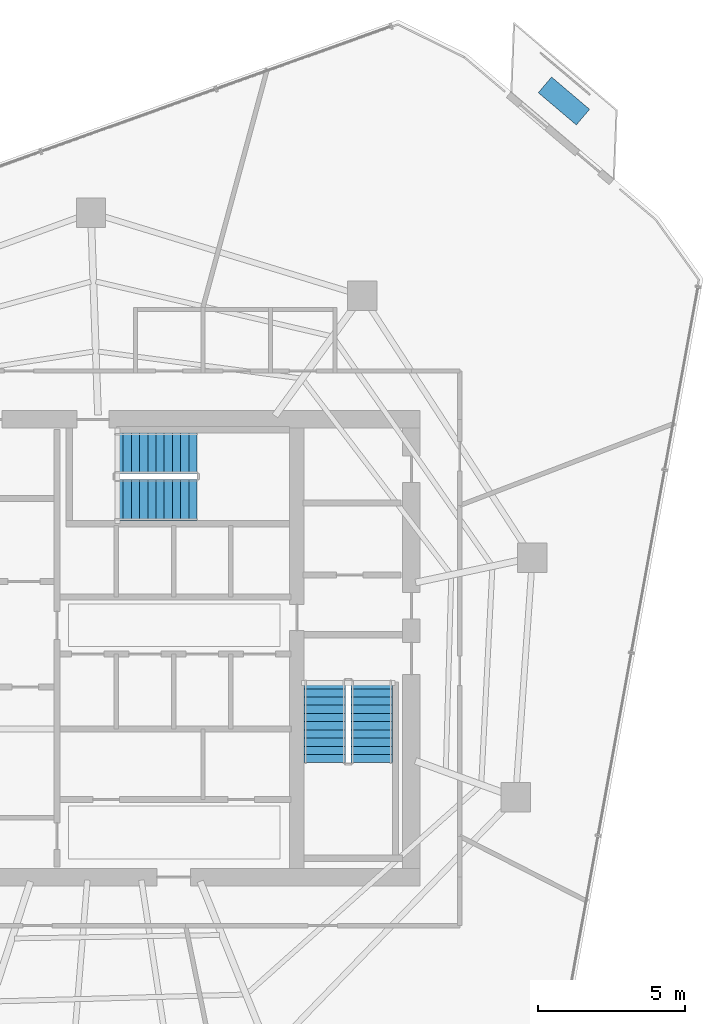
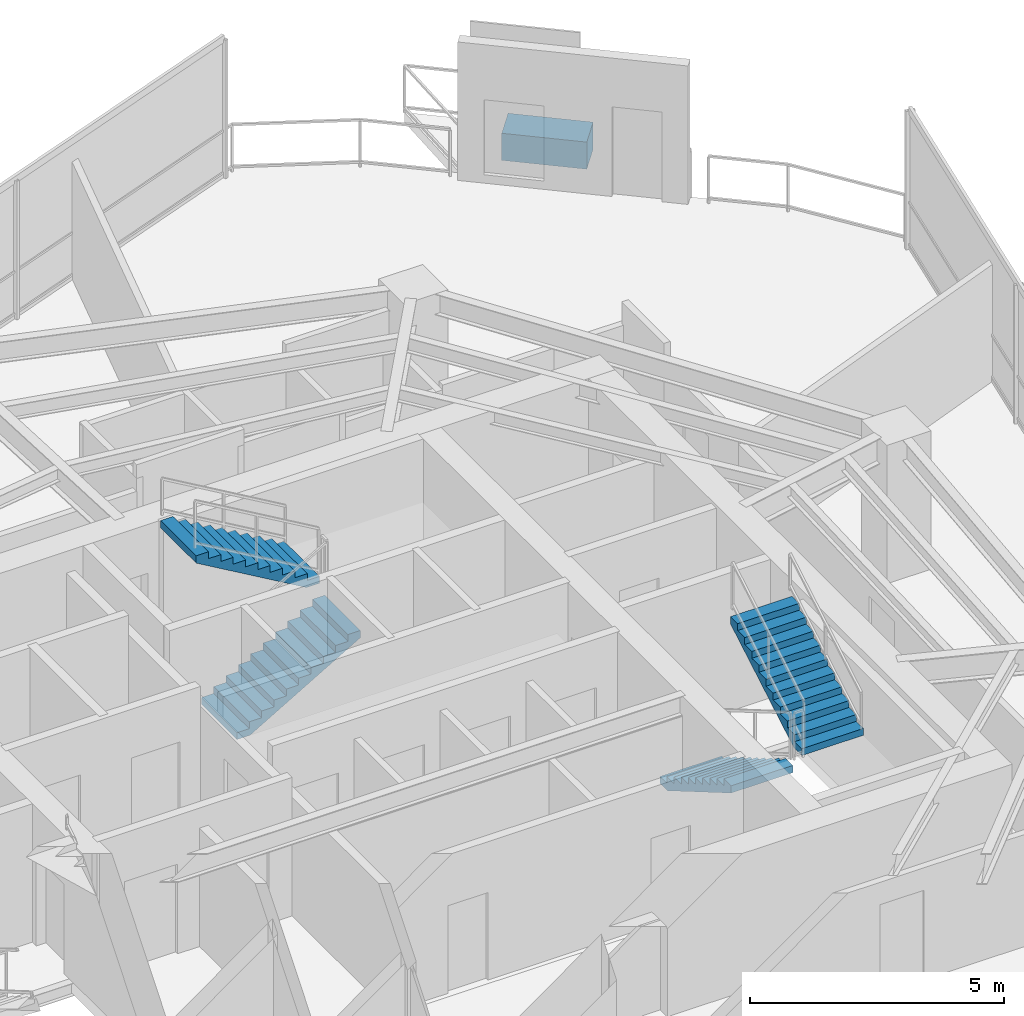
# One storey, part 19 of 21: 4 stair flights, 1 discrete accessory, 2 elements without a shape of their own.
"""IFC4 building model written with IfcOpenShell, lengths in metres."""

import ifcopenshell
import ifcopenshell.guid

model = None  # the IFC model being written
_history = None  # IfcOwnerHistory: only IFC2X3 demands one
_inside = {}  # id of a spatial element -> (the spatial element, [elements in it])
_under = {}  # id of a project, library or spatial element -> (it, [spatial elements below it])
_declared = {}  # id of a project -> (the project, [libraries it declares])
_typed = {}  # id of a type object -> (the type object, [elements of that type])
_made_of = {}  # id of a material, layer set ... -> (it, [elements and type objects made of it])


def new_model(schema):
    """Start an empty IFC model of exactly this schema.

    Asked for "IFC4X3", IfcOpenShell would pick the latest addendum, in which some entities
    have other attributes; the version numbers below select the first issue.
    IFC2X3 requires an IfcOwnerHistory on every rooted entity: one is made here for all.
    """
    global model, _history
    if schema == "IFC4X3":
        model = ifcopenshell.file(schema_version=(4, 3, 0, 0))
    else:
        model = ifcopenshell.file(schema=schema)
    _inside.clear()
    _under.clear()
    _declared.clear()
    _typed.clear()
    _made_of.clear()
    _history = None
    if model.schema == "IFC2X3":
        org = make("IfcOrganization", Name="unknown")
        user = make(
            "IfcPersonAndOrganization",
            ThePerson=make("IfcPerson", FamilyName="unknown"),
            TheOrganization=org,
        )
        app = make(
            "IfcApplication",
            ApplicationDeveloper=org,
            Version="unknown",
            ApplicationFullName="unknown",
            ApplicationIdentifier="unknown",
        )
        _history = make(
            "IfcOwnerHistory",
            OwningUser=user,
            OwningApplication=app,
            ChangeAction="ADDED",
            CreationDate=0,
        )
    return model


def make(cls, **values):
    """One entity of the class cls with the attributes given. An attribute that is None is left unset."""
    return model.create_entity(
        cls, **{name: value for name, value in values.items() if value is not None}
    )


def rooted(cls, **values):
    """An entity with a GlobalId (a new one), such as an element, a storey or a relation."""
    return make(cls, GlobalId=ifcopenshell.guid.new(), OwnerHistory=_history, **values)


def si_unit(unit_type, name, prefix=None):
    """IfcSIUnit, for example si_unit("LENGTHUNIT", "METRE", prefix="MILLI")."""
    return make("IfcSIUnit", UnitType=unit_type, Prefix=prefix, Name=name)


def assignment(units):
    """IfcUnitAssignment: the units of a project."""
    return None if units is None else make("IfcUnitAssignment", Units=units)


def point(xyz):
    """IfcCartesianPoint."""
    return None if xyz is None else make("IfcCartesianPoint", Coordinates=xyz)


def direction(xyz):
    """IfcDirection."""
    return None if xyz is None else make("IfcDirection", DirectionRatios=xyz)


def frame(location, z_axis=None, x_axis=None):
    """IfcAxis2Placement3D, a coordinate frame: its origin and axes. An axis left out is left unset."""
    return make(
        "IfcAxis2Placement3D",
        Location=point(location),
        Axis=direction(z_axis),
        RefDirection=direction(x_axis),
    )


def frame_2d(location, x_axis=None):
    """IfcAxis2Placement2D, a coordinate frame in the plane: its origin and x axis."""
    return make(
        "IfcAxis2Placement2D", Location=point(location), RefDirection=direction(x_axis)
    )


def origin():
    """The frame at (0, 0, 0) with its axes left unset."""
    return frame((0.0, 0.0, 0.0))


def origin_2d():
    """The frame at (0, 0) in the plane with its x axis left unset."""
    return frame_2d((0.0, 0.0))


def place(relative_to, where):
    """IfcLocalPlacement: puts the frame where relative to a parent placement (None: the world)."""
    return make(
        "IfcLocalPlacement", PlacementRelTo=relative_to, RelativePlacement=where
    )


def context(
    kind, dimensions, precision=None, world=None, true_north=None, identifier=None
):
    """IfcGeometricRepresentationContext, for example the 3D "Model" context."""
    return make(
        "IfcGeometricRepresentationContext",
        ContextIdentifier=identifier,
        ContextType=kind,
        CoordinateSpaceDimension=dimensions,
        Precision=precision,
        WorldCoordinateSystem=world,
        TrueNorth=true_north,
    )


def subcontext(parent, identifier, kind, view, scale=None):
    """IfcGeometricRepresentationSubContext, for example "Body" below "Model"."""
    return make(
        "IfcGeometricRepresentationSubContext",
        ContextIdentifier=identifier,
        ContextType=kind,
        ParentContext=parent,
        TargetScale=scale,
        TargetView=view,
    )


def project(units=None, contexts=None):
    """IfcProject with its units and contexts."""
    return rooted(
        "IfcProject",
        Name="project",
        RepresentationContexts=contexts,
        UnitsInContext=assignment(units),
    )


def spatial(cls, under=None, at=None, **own):
    """A site, building, storey or space (cls), placed at a placement, below another one or the project."""
    s = rooted(cls, ObjectPlacement=at, **own)
    if under is not None:
        _under.setdefault(under.id(), (under, []))[1].append(s)
    return s


def polyline(points):
    """IfcPolyline through the points."""
    return make("IfcPolyline", Points=[point(p) for p in points])


def profile(cls, at=None, kind="AREA", **sizes):
    """A parametric profile (cls). Its sizes go by their IFC names, for example OverallWidth=200.0."""
    return make(cls, ProfileType=kind, Position=at, **sizes)


def rectangle(**sizes):
    """IfcRectangleProfileDef."""
    return profile("IfcRectangleProfileDef", **sizes)


def outline(outer, holes=None, kind="AREA"):
    """IfcArbitraryClosedProfileDef: a profile drawn as a closed curve; with holes, ...WithVoids."""
    if holes is None:
        return make("IfcArbitraryClosedProfileDef", ProfileType=kind, OuterCurve=outer)
    return make(
        "IfcArbitraryProfileDefWithVoids",
        ProfileType=kind,
        OuterCurve=outer,
        InnerCurves=holes,
    )


def extrude(swept, where, along, depth):
    """IfcExtrudedAreaSolid: the profile swept, set in the frame where, extruded along a direction by depth."""
    return make(
        "IfcExtrudedAreaSolid",
        SweptArea=swept,
        Position=where,
        ExtrudedDirection=direction(along),
        Depth=depth,
    )


def shape(context_of_items, identifier, shape_type, items):
    """IfcShapeRepresentation: the items that make up one representation, for example the "Body"."""
    return make(
        "IfcShapeRepresentation",
        ContextOfItems=context_of_items,
        RepresentationIdentifier=identifier,
        RepresentationType=shape_type,
        Items=items,
    )


def material(Name=None, Category=None):
    """IfcMaterial."""
    return make("IfcMaterial", Name=Name, Category=Category)


def made_of(thing, what):
    """Note that an element or type object is made of a material, layer set ...; save() writes the relation."""
    if what is not None:
        _made_of.setdefault(what.id(), (what, []))[1].append(thing)
    return thing


def type_object(cls, material=None, **own):
    """A type object (cls), such as IfcWallType, which elements share."""
    return made_of(rooted(cls, **own), material)


def element(
    cls,
    number,
    at=None,
    inside=None,
    cuts=None,
    type_object=None,
    material=None,
    context=None,
    identifier="Body",
    shape_type=None,
    held_by="IfcProductDefinitionShape",
    body=None,
    shapes=None,
    **own,
):
    """One element of the class cls, such as IfcWall. Its Tag is "e" and its number.

    at: its placement. inside: the storey or other place that contains it. cuts: it is an
    opening in that element (IfcRelVoidsElement). A single representation is given by context,
    identifier, shape_type and body (its items); several are given by shapes. held_by: the class
    of the entity that holds the representations. save() writes the other relations.
    """
    e = rooted(cls, Tag="e%d" % number, ObjectPlacement=at, **own)
    if body is not None:
        shapes = [shape(context, identifier, shape_type, body)]
    if shapes is not None:
        e.Representation = make(held_by, Representations=shapes)
    if inside is not None:
        _inside.setdefault(inside.id(), (inside, []))[1].append(e)
    if cuts is not None:
        rooted(
            "IfcRelVoidsElement", RelatingBuildingElement=cuts, RelatedOpeningElement=e
        )
    if type_object is not None:
        _typed.setdefault(type_object.id(), (type_object, []))[1].append(e)
    return made_of(e, material)


def aggregate(whole, parts):
    """IfcRelAggregates: a whole, such as a stair, and the parts it consists of."""
    return rooted("IfcRelAggregates", RelatingObject=whole, RelatedObjects=parts)


def save(model, path):
    """Write the relations noted so far, then the file.

    IfcRelAggregates (storeys below a building ...), IfcRelContainedInSpatialStructure (elements
    in a storey), IfcRelDefinesByType, IfcRelAssociatesMaterial and IfcRelDeclares: one each for
    every whole, place, type object, material and project.
    """
    for whole, parts in _under.values():
        aggregate(whole, parts)
    for where, things in _inside.values():
        rooted(
            "IfcRelContainedInSpatialStructure",
            RelatedElements=things,
            RelatingStructure=where,
        )
    for kind, things in _typed.values():
        rooted("IfcRelDefinesByType", RelatedObjects=things, RelatingType=kind)
    for what, things in _made_of.values():
        rooted("IfcRelAssociatesMaterial", RelatedObjects=things, RelatingMaterial=what)
    for by, libraries in _declared.values():
        rooted("IfcRelDeclares", RelatingContext=by, RelatedDefinitions=libraries)
    model.write(path)


model = new_model("IFC4")

# Units and contexts
model_context = context("Model", 3, precision=1e-05, world=origin(), true_north=direction((0.0, 1.0)))
body_context = subcontext(model_context, "Body", "Model", "MODEL_VIEW")
ifc_project = project(units=[si_unit("LENGTHUNIT", "METRE"), si_unit("AREAUNIT", "SQUARE_METRE"), si_unit("VOLUMEUNIT", "CUBIC_METRE"), si_unit("PLANEANGLEUNIT", "RADIAN"), si_unit("MASSUNIT", "GRAM", prefix="KILO")], contexts=[model_context])

# Site, building, storey
site_placement = place(None, origin())
site = spatial("IfcSite", under=ifc_project, at=site_placement, CompositionType="ELEMENT")
building_placement = place(site_placement, origin())
building = spatial("IfcBuilding", under=site, at=building_placement, Name="Qarnah Convention Tower", CompositionType="ELEMENT")
storey_placement = place(building_placement, frame((0.0, 0.0, 140.10009765625)))
storey = spatial("IfcBuildingStorey", under=building, at=storey_placement, Name="L37", CompositionType="ELEMENT", Elevation=140.10009765625)

# Stair, stair flights
ifc_material_1 = material(Name="Concrete C50/60", Category="concrete")
stair_type = type_object("IfcStairType", Name="STR-OFF", PredefinedType="HALF_TURN_STAIR", material=ifc_material_1)
stair_1_placement = place(storey_placement, origin())
stair_1 = element("IfcStair", 1, at=stair_1_placement, inside=storey, type_object=stair_type, Name="L37 Core exit stair ST-2", PredefinedType="HALF_TURN_STAIR")
stair_flight_type = type_object("IfcStairFlightType", Name="FLT-OFF", PredefinedType="STRAIGHT", material=ifc_material_1)
stair_flight_1_placement = place(storey_placement, frame((44.64990234375, 25.300048828125, 0.0), z_axis=(0.0, 0.0, 1.0), x_axis=(0.0, -1.0, 0.0)))
stair_flight_1 = element("IfcStairFlight", 2, at=stair_flight_1_placement, type_object=stair_flight_type, Name="ST-2 flight 1", NumberOfRisers=11, NumberOfTreads=10, PredefinedType="STRAIGHT", RiserHeight=0.163636364, TreadLength=0.28, context=body_context, shape_type="SweptSolid", body=[
    extrude(outline(polyline([(0.0, 0.0), (0.0, 0.16357421875), (0.280029296875, 0.16357421875), (0.280029296875, 0.327392578125), (0.56005859375, 0.327392578125), (0.56005859375, 0.490966796875), (0.840087890625, 0.490966796875), (0.840087890625, 0.654541015625), (1.1201171875, 0.654541015625), (1.1201171875, 0.818115234375), (1.39990234375, 0.818115234375), (1.39990234375, 0.98193359375), (1.679931640625, 0.98193359375), (1.679931640625, 1.1455078125), (1.9599609375, 1.1455078125), (1.9599609375, 1.30908203125), (2.239990234375, 1.30908203125), (2.239990234375, 1.47265625), (2.52001953125, 1.47265625), (2.52001953125, 1.636474609375), (2.800048828125, 1.636474609375), (2.800048828125, 1.800048828125), (2.800048828125, 1.462646484375), (0.297119140625, 0.0), (0.0, 0.0)])), frame((0.0, 0.699951171875, 0.0), z_axis=(0.0, -1.0, 0.0), x_axis=(1.0, 0.0, 0.0)), (0.0, 0.0, 1.0), 1.39990234375),
])
stair_flight_2_placement = place(storey_placement, frame((46.25, 22.5, 1.7998046875), z_axis=(0.0, 0.0, 1.0), x_axis=(0.0, 1.0, 0.0)))
stair_flight_2 = element("IfcStairFlight", 3, at=stair_flight_2_placement, type_object=stair_flight_type, Name="ST-2 flight 2", NumberOfRisers=11, NumberOfTreads=10, PredefinedType="STRAIGHT", RiserHeight=0.163636364, TreadLength=0.28, context=body_context, shape_type="SweptSolid", body=[
    extrude(outline(polyline([(0.0, 0.0), (0.0, 0.16357421875), (0.280029296875, 0.16357421875), (0.280029296875, 0.327392578125), (0.56005859375, 0.327392578125), (0.56005859375, 0.490966796875), (0.840087890625, 0.490966796875), (0.840087890625, 0.654541015625), (1.1201171875, 0.654541015625), (1.1201171875, 0.818115234375), (1.39990234375, 0.818115234375), (1.39990234375, 0.98193359375), (1.679931640625, 0.98193359375), (1.679931640625, 1.1455078125), (1.9599609375, 1.1455078125), (1.9599609375, 1.30908203125), (2.239990234375, 1.30908203125), (2.239990234375, 1.47265625), (2.52001953125, 1.47265625), (2.52001953125, 1.636474609375), (2.800048828125, 1.636474609375), (2.800048828125, 1.800048828125), (2.800048828125, 1.462646484375), (0.297119140625, 0.0), (0.0, 0.0)])), frame((0.0, 0.699951171875, 0.0), z_axis=(0.0, -1.0, 0.0), x_axis=(1.0, 0.0, 0.0)), (0.0, 0.0, 1.0), 1.39990234375),
])
aggregate(stair_1, [stair_flight_1, stair_flight_2])

stair_2_placement = place(storey_placement, origin())
stair_2 = element("IfcStair", 4, at=stair_2_placement, inside=storey, type_object=stair_type, Name="L37 Core exit stair ST-3", PredefinedType="HALF_TURN_STAIR")
stair_flight_3_placement = place(storey_placement, frame((37.5, 31.449951171875, 0.0), z_axis=(0.0, 0.0, 1.0), x_axis=(1.0, 0.0, 0.0)))
stair_flight_3 = element("IfcStairFlight", 5, at=stair_flight_3_placement, type_object=stair_flight_type, Name="ST-3 flight 1", NumberOfRisers=11, NumberOfTreads=10, PredefinedType="STRAIGHT", RiserHeight=0.163636364, TreadLength=0.28, context=body_context, shape_type="SweptSolid", body=[
    extrude(outline(polyline([(0.0, 0.0), (0.0, 0.16357421875), (0.280029296875, 0.16357421875), (0.280029296875, 0.327392578125), (0.56005859375, 0.327392578125), (0.56005859375, 0.490966796875), (0.840087890625, 0.490966796875), (0.840087890625, 0.654541015625), (1.1201171875, 0.654541015625), (1.1201171875, 0.818115234375), (1.39990234375, 0.818115234375), (1.39990234375, 0.98193359375), (1.679931640625, 0.98193359375), (1.679931640625, 1.1455078125), (1.9599609375, 1.1455078125), (1.9599609375, 1.30908203125), (2.239990234375, 1.30908203125), (2.239990234375, 1.47265625), (2.52001953125, 1.47265625), (2.52001953125, 1.636474609375), (2.800048828125, 1.636474609375), (2.800048828125, 1.800048828125), (2.800048828125, 1.462646484375), (0.297119140625, 0.0), (0.0, 0.0)])), frame((0.0, 0.699951171875, 0.0), z_axis=(0.0, -1.0, 0.0), x_axis=(1.0, 0.0, 0.0)), (0.0, 0.0, 1.0), 1.39990234375),
])
stair_flight_4_placement = place(storey_placement, frame((40.300048828125, 33.050048828125, 1.7998046875), z_axis=(0.0, 0.0, 1.0), x_axis=(-1.0, 0.0, 0.0)))
stair_flight_4 = element("IfcStairFlight", 6, at=stair_flight_4_placement, type_object=stair_flight_type, Name="ST-3 flight 2", NumberOfRisers=11, NumberOfTreads=10, PredefinedType="STRAIGHT", RiserHeight=0.163636364, TreadLength=0.28, context=body_context, shape_type="SweptSolid", body=[
    extrude(outline(polyline([(0.0, 0.0), (0.0, 0.16357421875), (0.280029296875, 0.16357421875), (0.280029296875, 0.327392578125), (0.56005859375, 0.327392578125), (0.56005859375, 0.490966796875), (0.840087890625, 0.490966796875), (0.840087890625, 0.654541015625), (1.1201171875, 0.654541015625), (1.1201171875, 0.818115234375), (1.39990234375, 0.818115234375), (1.39990234375, 0.98193359375), (1.679931640625, 0.98193359375), (1.679931640625, 1.1455078125), (1.9599609375, 1.1455078125), (1.9599609375, 1.30908203125), (2.239990234375, 1.30908203125), (2.239990234375, 1.47265625), (2.52001953125, 1.47265625), (2.52001953125, 1.636474609375), (2.800048828125, 1.636474609375), (2.800048828125, 1.800048828125), (2.800048828125, 1.462646484375), (0.297119140625, 0.0), (0.0, 0.0)])), frame((0.0, 0.699951171875, 0.0), z_axis=(0.0, -1.0, 0.0), x_axis=(1.0, 0.0, 0.0)), (0.0, 0.0, 1.0), 1.39990234375),
])
aggregate(stair_2, [stair_flight_3, stair_flight_4])

# Discrete accessory
ifc_material_2 = material(Name="Precast concrete C45/55", Category="concrete")
discrete_accessory_type = type_object("IfcDiscreteAccessoryType", Name="ACC-PLANTER-900", PredefinedType="USERDEFINED", material=ifc_material_2)
discrete_accessory_placement = place(storey_placement, frame((52.800048828125, 45.049072265625, 0.0), z_axis=(0.0, 0.0, 1.0), x_axis=(-0.762442511011, 0.647055961569, 0.0)))
element("IfcDiscreteAccessory", 7, at=discrete_accessory_placement, inside=storey, type_object=discrete_accessory_type, Name="L37 irrigated desert balcony PLANTER BAL-L37-C1", ObjectType="PLANTER", PredefinedType="USERDEFINED", context=body_context, shape_type="SweptSolid", body=[
    extrude(rectangle(XDim=1.699951171875, YDim=0.699951171875, at=origin_2d()), origin(), (0.0, 0.0, 1.0), 0.64990234375),
])

save(model, "model.ifc")
